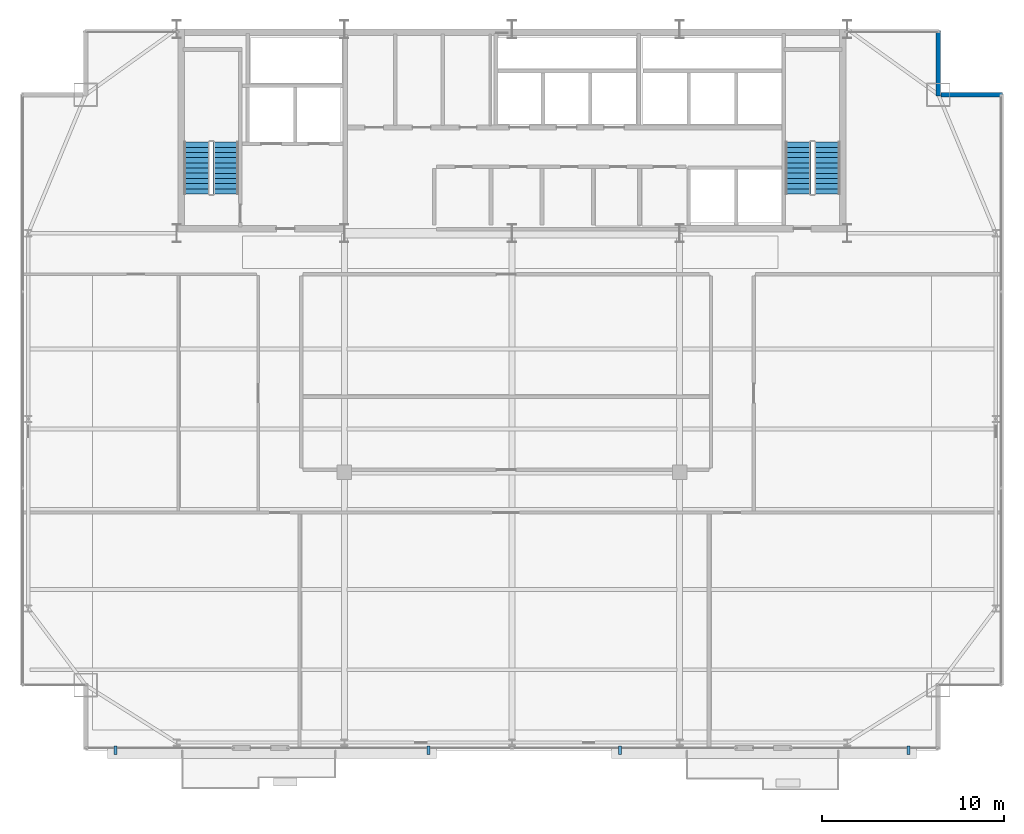
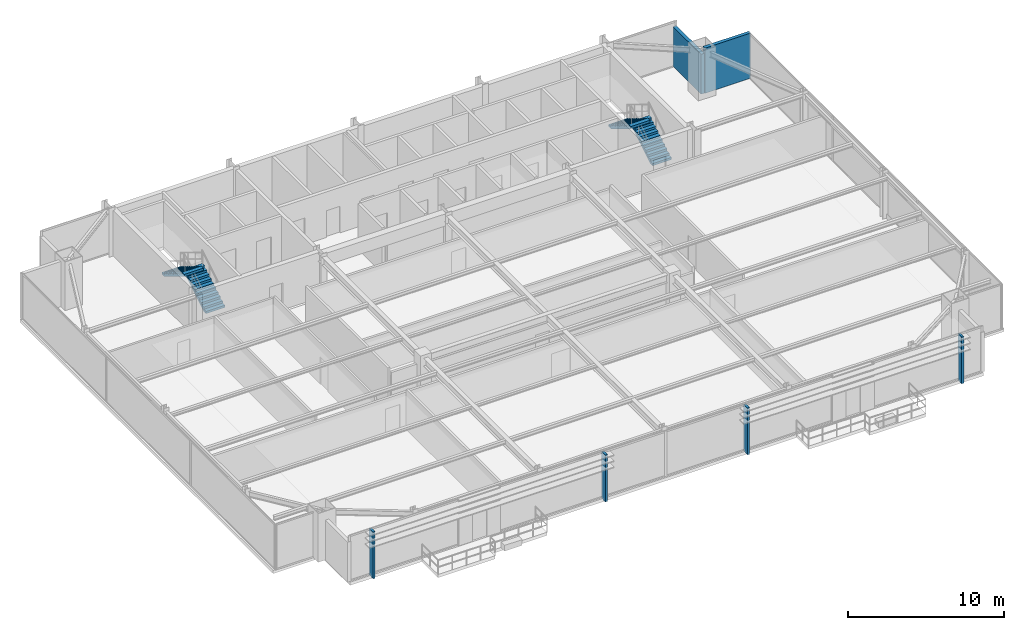
# One storey, part 29 of 31: 4 discrete accessories, 4 stair flights, 2 walls, 2 elements without a shape of their own.
"""IFC4 building model written with IfcOpenShell, lengths in metres."""

from ifc_helpers import new_model, si_unit, direction, frame, frame_2d, origin, origin_2d, place, context, subcontext, project, spatial, polyline, rectangle, outline, extrude, source, transform, mapped, material, layer, layer_set, type_object, type_shapes, element, aggregate, save


model = new_model("IFC4")

# Units and contexts
model_context = context("Model", 3, precision=1e-05, world=origin(), true_north=direction((0.0, 1.0)))
body_context = subcontext(model_context, "Body", "Model", "MODEL_VIEW")
ifc_project = project(units=[si_unit("LENGTHUNIT", "METRE"), si_unit("AREAUNIT", "SQUARE_METRE"), si_unit("VOLUMEUNIT", "CUBIC_METRE"), si_unit("PLANEANGLEUNIT", "RADIAN"), si_unit("MASSUNIT", "GRAM", prefix="KILO")], contexts=[model_context])

# Site, building, storey
site_placement = place(None, origin())
site = spatial("IfcSite", under=ifc_project, at=site_placement, CompositionType="ELEMENT")
building_placement = place(site_placement, origin())
building = spatial("IfcBuilding", under=site, at=building_placement, Name="Varnel Quay Broadcast Tower", CompositionType="ELEMENT")
storey_placement = place(building_placement, frame((0.0, 0.0, 153.39990234375)))
storey = spatial("IfcBuildingStorey", under=building, at=storey_placement, Name="L37", CompositionType="ELEMENT", Elevation=153.39990234375)

# Walls
ifc_material_1 = material(Name="Precast Architectural Concrete C40/50", Category="concrete")
ifc_layer_1 = layer(ifc_material_1, 0.25, Name="Precast Architectural Concrete C40/50")
ifc_layer_set_1 = layer_set([ifc_layer_1], Name="Precast Architectural Concrete C40/50")
wall_type = type_object("IfcWallType", Name="Wall_ExtTerrace250", PredefinedType="SOLIDWALL", material=ifc_layer_set_1)
wall_1_placement = place(storey_placement, frame((57.530029296875, 43.199951171875, 0.0), z_axis=(0.0, 0.0, 1.0), x_axis=(1.0, 0.0, 0.0)))
element("IfcWall", 1, at=wall_1_placement, inside=storey, type_object=wall_type, Name="L37 Mega-Column Notch Cladding Wall NNE1", PredefinedType="SOLIDWALL", context=body_context, shape_type="SweptSolid", body=[
    extrude(rectangle(XDim=3.389892578125, YDim=0.25, at=frame_2d((1.69482421875, 0.0))), origin(), (0.0, 0.0, 1.0), 3.530029296875),
])
wall_2_placement = place(storey_placement, frame((57.39990234375, 43.1201171875, 0.0), z_axis=(0.0, 0.0, 1.0), x_axis=(0.0, 1.0, 0.0)))
element("IfcWall", 2, at=wall_2_placement, inside=storey, type_object=wall_type, Name="L37 Mega-Column Notch Cladding Wall NNE2", PredefinedType="SOLIDWALL", context=body_context, shape_type="SweptSolid", body=[
    extrude(rectangle(XDim=3.599853515625, YDim=0.25, at=frame_2d((1.7998046875, 0.0))), origin(), (0.0, 0.0, 1.0), 3.108154296875),
])

# Stair, stair flights
ifc_material_2 = material(Name="Precast Structural Concrete C40/50", Category="concrete")
stair_type_1 = type_object("IfcStairType", Name="Stair_ST-01", PredefinedType="HALF_TURN_STAIR", material=ifc_material_2)
stair_1_placement = place(storey_placement, origin())
stair_1 = element("IfcStair", 3, at=stair_1_placement, inside=storey, type_object=stair_type_1, Name="L37 West Core Exit Stair 1", PredefinedType="HALF_TURN_STAIR")
stair_flight_type_1 = type_object("IfcStairFlightType", Name="Flight_ST-01", PredefinedType="STRAIGHT", material=ifc_material_2)
stair_flight_1_placement = place(storey_placement, frame((18.300048828125, 37.75, 0.0), z_axis=(0.0, 0.0, 1.0), x_axis=(0.0, 1.0, 0.0)))
stair_flight_1 = element("IfcStairFlight", 4, at=stair_flight_1_placement, type_object=stair_flight_type_1, Name="ST-01 flight 1", NumberOfRisers=11, NumberOfTreads=10, PredefinedType="STRAIGHT", RiserHeight=0.172727273, TreadLength=0.285, context=body_context, shape_type="SweptSolid", body=[
    extrude(outline(polyline([(0.0, 0.0), (0.0, 0.172607421875), (0.284912109375, 0.172607421875), (0.284912109375, 0.345458984375), (0.570068359375, 0.345458984375), (0.570068359375, 0.51806640625), (0.85498046875, 0.51806640625), (0.85498046875, 0.69091796875), (1.139892578125, 0.69091796875), (1.139892578125, 0.863525390625), (1.425048828125, 0.863525390625), (1.425048828125, 1.036376953125), (1.7099609375, 1.036376953125), (1.7099609375, 1.208984375), (1.9951171875, 1.208984375), (1.9951171875, 1.3818359375), (2.280029296875, 1.3818359375), (2.280029296875, 1.554443359375), (2.56494140625, 1.554443359375), (2.56494140625, 1.727294921875), (2.85009765625, 1.727294921875), (2.85009765625, 1.89990234375), (2.85009765625, 1.552001953125), (0.289306640625, 0.0), (0.0, 0.0)])), frame((0.0, 0.699951171875, 0.0), z_axis=(0.0, -1.0, 0.0), x_axis=(1.0, 0.0, 0.0)), (0.0, 0.0, 1.0), 1.39990234375),
])
stair_flight_2_placement = place(storey_placement, frame((16.699951171875, 40.60009765625, 1.900146484375), z_axis=(0.0, 0.0, 1.0), x_axis=(0.0, -1.0, 0.0)))
stair_flight_2 = element("IfcStairFlight", 5, at=stair_flight_2_placement, type_object=stair_flight_type_1, Name="ST-01 flight 2", NumberOfRisers=11, NumberOfTreads=10, PredefinedType="STRAIGHT", RiserHeight=0.172727273, TreadLength=0.285, context=body_context, shape_type="SweptSolid", body=[
    extrude(outline(polyline([(0.0, 0.0), (0.0, 0.172607421875), (0.284912109375, 0.172607421875), (0.284912109375, 0.345458984375), (0.570068359375, 0.345458984375), (0.570068359375, 0.51806640625), (0.85498046875, 0.51806640625), (0.85498046875, 0.69091796875), (1.139892578125, 0.69091796875), (1.139892578125, 0.863525390625), (1.425048828125, 0.863525390625), (1.425048828125, 1.036376953125), (1.7099609375, 1.036376953125), (1.7099609375, 1.208984375), (1.9951171875, 1.208984375), (1.9951171875, 1.3818359375), (2.280029296875, 1.3818359375), (2.280029296875, 1.554443359375), (2.56494140625, 1.554443359375), (2.56494140625, 1.727294921875), (2.85009765625, 1.727294921875), (2.85009765625, 1.89990234375), (2.85009765625, 1.552001953125), (0.289306640625, 0.0), (0.0, 0.0)])), frame((0.0, 0.699951171875, 0.0), z_axis=(0.0, -1.0, 0.0), x_axis=(1.0, 0.0, 0.0)), (0.0, 0.0, 1.0), 1.39990234375),
])
aggregate(stair_1, [stair_flight_1, stair_flight_2])

stair_type_2 = type_object("IfcStairType", Name="Stair_ST-02", PredefinedType="HALF_TURN_STAIR", material=ifc_material_2)
stair_2_placement = place(storey_placement, origin())
stair_2 = element("IfcStair", 6, at=stair_2_placement, inside=storey, type_object=stair_type_2, Name="L37 East Core Exit Stair 2", PredefinedType="HALF_TURN_STAIR")
stair_flight_type_2 = type_object("IfcStairFlightType", Name="Flight_ST-02", PredefinedType="STRAIGHT", material=ifc_material_2)
stair_flight_3_placement = place(storey_placement, frame((51.300048828125, 37.75, 0.0), z_axis=(0.0, 0.0, 1.0), x_axis=(0.0, 1.0, 0.0)))
stair_flight_3 = element("IfcStairFlight", 7, at=stair_flight_3_placement, type_object=stair_flight_type_2, Name="ST-02 flight 1", NumberOfRisers=11, NumberOfTreads=10, PredefinedType="STRAIGHT", RiserHeight=0.172727273, TreadLength=0.285, context=body_context, shape_type="SweptSolid", body=[
    extrude(outline(polyline([(0.0, 0.0), (0.0, 0.172607421875), (0.284912109375, 0.172607421875), (0.284912109375, 0.345458984375), (0.570068359375, 0.345458984375), (0.570068359375, 0.51806640625), (0.85498046875, 0.51806640625), (0.85498046875, 0.69091796875), (1.139892578125, 0.69091796875), (1.139892578125, 0.863525390625), (1.425048828125, 0.863525390625), (1.425048828125, 1.036376953125), (1.7099609375, 1.036376953125), (1.7099609375, 1.208984375), (1.9951171875, 1.208984375), (1.9951171875, 1.3818359375), (2.280029296875, 1.3818359375), (2.280029296875, 1.554443359375), (2.56494140625, 1.554443359375), (2.56494140625, 1.727294921875), (2.85009765625, 1.727294921875), (2.85009765625, 1.89990234375), (2.85009765625, 1.552001953125), (0.289306640625, 0.0), (0.0, 0.0)])), frame((0.0, 0.699951171875, 0.0), z_axis=(0.0, -1.0, 0.0), x_axis=(1.0, 0.0, 0.0)), (0.0, 0.0, 1.0), 1.39990234375),
])
stair_flight_4_placement = place(storey_placement, frame((49.699951171875, 40.60009765625, 1.900146484375), z_axis=(0.0, 0.0, 1.0), x_axis=(0.0, -1.0, 0.0)))
stair_flight_4 = element("IfcStairFlight", 8, at=stair_flight_4_placement, type_object=stair_flight_type_2, Name="ST-02 flight 2", NumberOfRisers=11, NumberOfTreads=10, PredefinedType="STRAIGHT", RiserHeight=0.172727273, TreadLength=0.285, context=body_context, shape_type="SweptSolid", body=[
    extrude(outline(polyline([(0.0, 0.0), (0.0, 0.172607421875), (0.284912109375, 0.172607421875), (0.284912109375, 0.345458984375), (0.570068359375, 0.345458984375), (0.570068359375, 0.51806640625), (0.85498046875, 0.51806640625), (0.85498046875, 0.69091796875), (1.139892578125, 0.69091796875), (1.139892578125, 0.863525390625), (1.425048828125, 0.863525390625), (1.425048828125, 1.036376953125), (1.7099609375, 1.036376953125), (1.7099609375, 1.208984375), (1.9951171875, 1.208984375), (1.9951171875, 1.3818359375), (2.280029296875, 1.3818359375), (2.280029296875, 1.554443359375), (2.56494140625, 1.554443359375), (2.56494140625, 1.727294921875), (2.85009765625, 1.727294921875), (2.85009765625, 1.89990234375), (2.85009765625, 1.552001953125), (0.289306640625, 0.0), (0.0, 0.0)])), frame((0.0, 0.699951171875, 0.0), z_axis=(0.0, -1.0, 0.0), x_axis=(1.0, 0.0, 0.0)), (0.0, 0.0, 1.0), 1.39990234375),
])
aggregate(stair_2, [stair_flight_3, stair_flight_4])

# Discrete accessories
ifc_material_3 = material(Name="Anodised Bronze Aluminium 6063-T6", Category="aluminium")
ifc_layer_2 = layer(ifc_material_3, 0.47998046875, Name="Anodised Bronze Aluminium 6063-T6")
ifc_layer_set_2 = layer_set([ifc_layer_2], Name="Anodised Bronze Aluminium 6063-T6")
discrete_accessory_type = type_object("IfcDiscreteAccessoryType", Name="Acc_FacadeBracket", PredefinedType="BRACKET", material=ifc_layer_set_2)
shared_shape = source(origin(), body_context, "Body", "SweptSolid", [
    extrude(rectangle(XDim=0.159912109375, YDim=0.47998046875, at=origin_2d()), origin(), (0.0, 0.0, 1.0), 3.64990234375),
])
type_shapes(discrete_accessory_type, [shared_shape])
for number, where, z_axis, x_axis, name in (
    (9, (12.25, 7.219970703125, -0.14990234375), (0.0, 0.0, 1.0), (1.0, 0.0, 0.0), "L37 Lobe 1 Louvre Support Bracket 1"),
    (10, (29.4189453125, 7.219970703125, -0.14990234375), (0.0, 0.0, 1.0), (1.0, 0.0, 0.0), "L37 Lobe 1 Louvre Support Bracket 2"),
    (11, (39.9189453125, 7.219970703125, -0.14990234375), (0.0, 0.0, 1.0), (1.0, 0.0, 0.0), "L37 Lobe 2 Louvre Support Bracket 1"),
    (12, (55.75, 7.219970703125, -0.14990234375), (0.0, 0.0, 1.0), (1.0, 0.0, 0.0), "L37 Lobe 2 Louvre Support Bracket 2"),
):
    element("IfcDiscreteAccessory", number, at=place(storey_placement, frame(where, z_axis=z_axis, x_axis=x_axis)), inside=storey, type_object=discrete_accessory_type, Name=name, PredefinedType="BRACKET", context=body_context, shape_type="MappedRepresentation", body=[
        mapped(shared_shape, transform((0.0, 0.0, 0.0), x_axis=(1.0, 0.0, 0.0), y_axis=(0.0, 1.0, 0.0), z_axis=(0.0, 0.0, 1.0), scale=1.0)),
    ])

save(model, "model.ifc")
